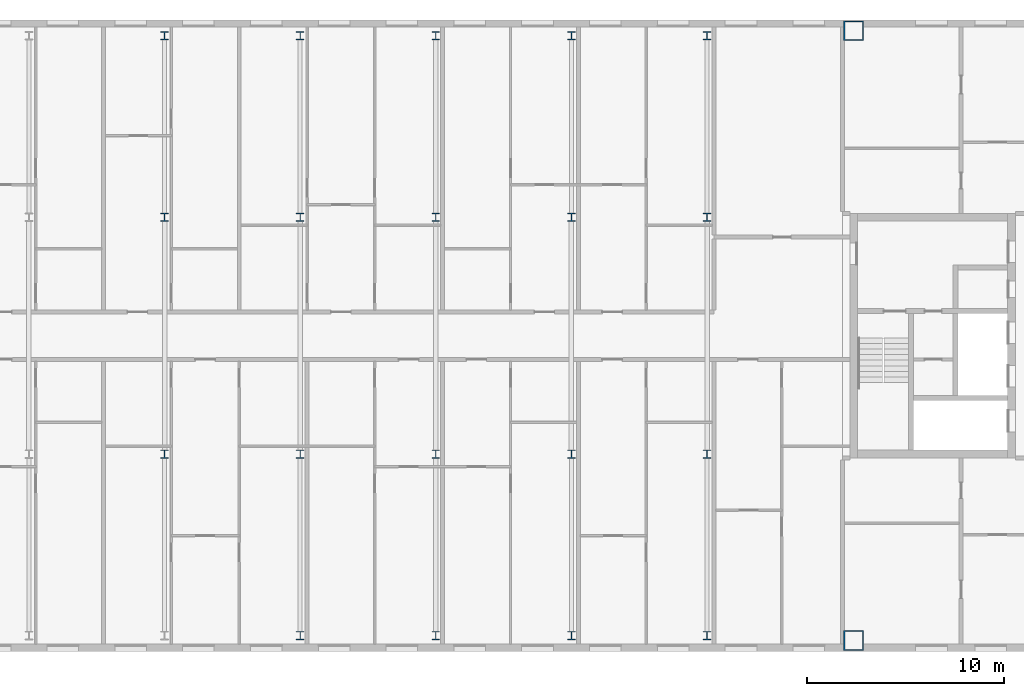
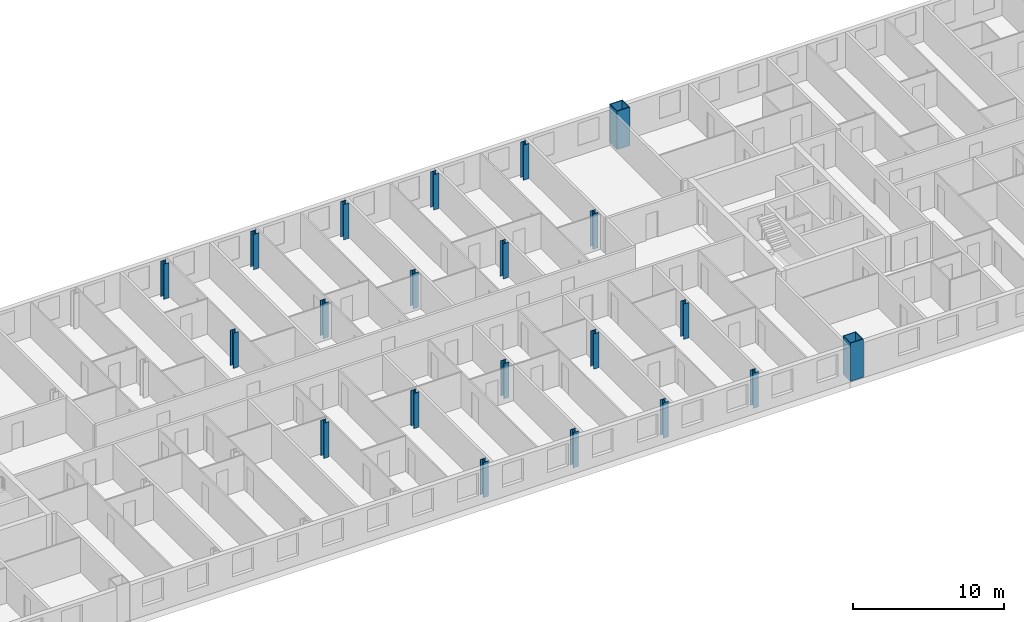
# One storey, part 2 of 19: 21 columns.
"""IFC4 building model written with IfcOpenShell, lengths in metres."""

from ifc_helpers import new_model, si_unit, direction, frame, origin, origin_2d, place, context, subcontext, project, spatial, hollow_rectangle, i_section, extrude, material, material_profile, profile_set, type_object, element, save


model = new_model("IFC4")

# Units and contexts
model_context = context("Model", 3, precision=1e-05, world=origin(), true_north=direction((0.0, 1.0)))
body_context = subcontext(model_context, "Body", "Model", "MODEL_VIEW")
ifc_project = project(units=[si_unit("LENGTHUNIT", "METRE"), si_unit("AREAUNIT", "SQUARE_METRE"), si_unit("VOLUMEUNIT", "CUBIC_METRE"), si_unit("PLANEANGLEUNIT", "RADIAN"), si_unit("MASSUNIT", "GRAM", prefix="KILO")], contexts=[model_context])

# Site, building, storey
site_placement = place(None, origin())
site = spatial("IfcSite", under=ifc_project, at=site_placement, CompositionType="ELEMENT")
building_placement = place(site_placement, origin())
building = spatial("IfcBuilding", under=site, at=building_placement, Name="Tuart Gate Housing", CompositionType="ELEMENT")
storey_placement = place(building_placement, frame((0.0, 0.0, 202.800048828125)))
storey = spatial("IfcBuildingStorey", under=building, at=storey_placement, Name="L57", CompositionType="ELEMENT", Elevation=202.800048828125)

# Columns
ifc_material_1 = material(Name="Steel Grade 350", Category="steel")
ifc_material_profile_1 = material_profile(ifc_material_1, i_section(OverallWidth=0.39990234375, OverallDepth=0.429931640625, WebThickness=0.0400390625, FlangeThickness=0.0400390625, at=origin_2d()), Name="400WC361")
ifc_profile_set_1 = profile_set([ifc_material_profile_1], Name="Steel Grade 350")
column_type_1 = type_object("IfcColumnType", Name="Link column 400 WC361", PredefinedType="COLUMN", material=ifc_profile_set_1)
for number, where, z_axis, x_axis, name in (
    (1, (103.5, 54.800048828125, 0.0), (0.0, 0.0, 1.0), (1.0, 0.0, 0.0), "Link column line 1 point 4 L57"),
    (2, (110.375, 54.800048828125, 0.0), (0.0, 0.0, 1.0), (1.0, 0.0, 0.0), "Link column line 1 point 5 L57"),
    (3, (117.25, 54.800048828125, 0.0), (0.0, 0.0, 1.0), (1.0, 0.0, 0.0), "Link column line 1 point 6 L57"),
    (4, (124.125, 54.800048828125, 0.0), (0.0, 0.0, 1.0), (1.0, 0.0, 0.0), "Link column line 1 point 7 L57"),
    (5, (96.625, 64.0, 0.0), (0.0, 0.0, 1.0), (1.0, 0.0, 0.0), "Link column line 2 point 3 L57"),
    (6, (103.5, 64.0, 0.0), (0.0, 0.0, 1.0), (1.0, 0.0, 0.0), "Link column line 2 point 4 L57"),
    (7, (110.375, 64.0, 0.0), (0.0, 0.0, 1.0), (1.0, 0.0, 0.0), "Link column line 2 point 5 L57"),
    (8, (117.25, 64.0, 0.0), (0.0, 0.0, 1.0), (1.0, 0.0, 0.0), "Link column line 2 point 6 L57"),
    (9, (124.125, 64.0, 0.0), (0.0, 0.0, 1.0), (1.0, 0.0, 0.0), "Link column line 2 point 7 L57"),
    (10, (96.625, 76.0, 0.0), (0.0, 0.0, 1.0), (1.0, 0.0, 0.0), "Link column line 3 point 3 L57"),
    (11, (103.5, 76.0, 0.0), (0.0, 0.0, 1.0), (1.0, 0.0, 0.0), "Link column line 3 point 4 L57"),
    (12, (110.375, 76.0, 0.0), (0.0, 0.0, 1.0), (1.0, 0.0, 0.0), "Link column line 3 point 5 L57"),
    (13, (117.25, 76.0, 0.0), (0.0, 0.0, 1.0), (1.0, 0.0, 0.0), "Link column line 3 point 6 L57"),
    (14, (124.125, 76.0, 0.0), (0.0, 0.0, 1.0), (1.0, 0.0, 0.0), "Link column line 3 point 7 L57"),
    (15, (96.625, 85.199951171875, 0.0), (0.0, 0.0, 1.0), (1.0, 0.0, 0.0), "Link column line 4 point 3 L57"),
    (16, (103.5, 85.199951171875, 0.0), (0.0, 0.0, 1.0), (1.0, 0.0, 0.0), "Link column line 4 point 4 L57"),
    (17, (110.375, 85.199951171875, 0.0), (0.0, 0.0, 1.0), (1.0, 0.0, 0.0), "Link column line 4 point 5 L57"),
    (18, (117.25, 85.199951171875, 0.0), (0.0, 0.0, 1.0), (1.0, 0.0, 0.0), "Link column line 4 point 6 L57"),
    (19, (124.125, 85.199951171875, 0.0), (0.0, 0.0, 1.0), (1.0, 0.0, 0.0), "Link column line 4 point 7 L57"),
):
    element("IfcColumn", number, at=place(storey_placement, frame(where, z_axis=z_axis, x_axis=x_axis)), inside=storey, type_object=column_type_1, Name=name, PredefinedType="COLUMN", context=body_context, shape_type="SweptSolid", body=[
        extrude(i_section(OverallWidth=0.39990234375, OverallDepth=0.429931640625, WebThickness=0.0400390625, FlangeThickness=0.0400390625, at=origin_2d()), origin(), (0.0, 0.0, 1.0), 2.849853515625),
    ])
ifc_material_2 = material(Name="Steel Grade 350", Category="steel")
ifc_material_profile_2 = material_profile(ifc_material_2, hollow_rectangle(XDim=1.0, YDim=1.0, WallThickness=0.054931640625, at=origin_2d()), Name="BOX 1000x1000x55")
ifc_profile_set_2 = profile_set([ifc_material_profile_2], Name="Steel Grade 350")
column_type_2 = type_object("IfcColumnType", Name="Mega column BOX 1000x1000x55", PredefinedType="COLUMN", material=ifc_profile_set_2)
for number, where, z_axis, x_axis, name in (
    (20, (131.550048828125, 54.550048828125, 0.0), (0.0, 0.0, 1.0), (1.0, 0.0, 0.0), "Mega column B south-west L57"),
    (21, (131.550048828125, 85.449951171875, 0.0), (0.0, 0.0, 1.0), (1.0, 0.0, 0.0), "Mega column B north-west L57"),
):
    element("IfcColumn", number, at=place(storey_placement, frame(where, z_axis=z_axis, x_axis=x_axis)), inside=storey, type_object=column_type_2, Name=name, PredefinedType="COLUMN", context=body_context, shape_type="SweptSolid", body=[
        extrude(hollow_rectangle(XDim=1.0, YDim=1.0, WallThickness=0.054931640625, at=origin_2d()), origin(), (0.0, 0.0, 1.0), 3.099853515625),
    ])

save(model, "model.ifc")
